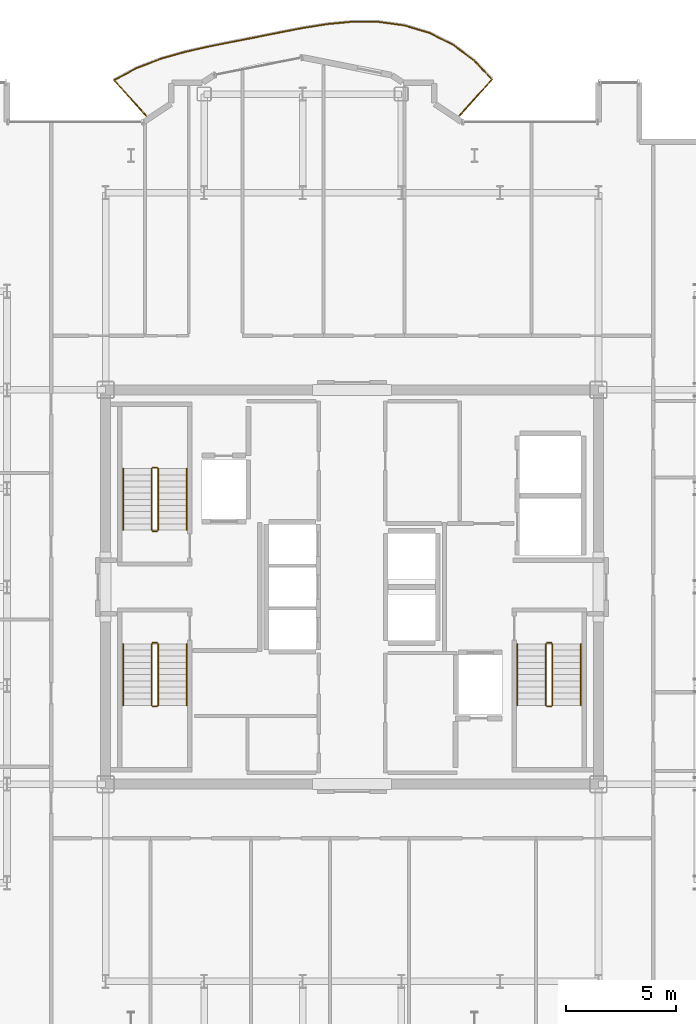
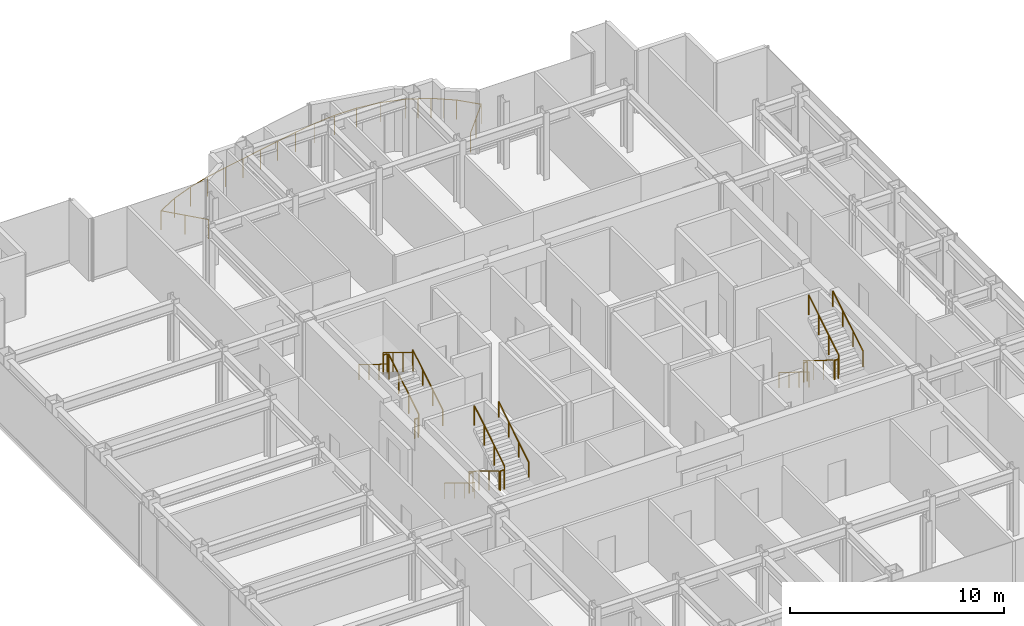
# One storey, part 18 of 18: 19 railings.
"""IFC4 building model written with IfcOpenShell, lengths in metres."""

from ifc_helpers import new_model, si_unit, direction, frame, origin, origin_2d, place, context, subcontext, project, spatial, circle, extrude, material, type_object, element, save


model = new_model("IFC4")

# Units and contexts
model_context = context("Model", 3, precision=1e-05, world=origin(), true_north=direction((0.0, 1.0)))
body_context = subcontext(model_context, "Body", "Model", "MODEL_VIEW")
ifc_project = project(units=[si_unit("LENGTHUNIT", "METRE"), si_unit("AREAUNIT", "SQUARE_METRE"), si_unit("VOLUMEUNIT", "CUBIC_METRE"), si_unit("PLANEANGLEUNIT", "RADIAN"), si_unit("MASSUNIT", "GRAM", prefix="KILO")], contexts=[model_context])

# Site, building, storey
site_placement = place(None, origin())
site = spatial("IfcSite", under=ifc_project, at=site_placement, CompositionType="ELEMENT")
building_placement = place(site_placement, origin())
building = spatial("IfcBuilding", under=site, at=building_placement, Name="Nefas-Gora Pilgrimage Tower", CompositionType="ELEMENT")
storey_placement = place(building_placement, frame((0.0, 0.0, 272.199951171875)))
storey = spatial("IfcBuildingStorey", under=building, at=storey_placement, Name="L68", CompositionType="ELEMENT", Elevation=272.199951171875)

# Railings
ifc_material_1 = material(Name="Laminated safety glass and stainless steel", Category="steel")
railing_type_1 = type_object("IfcRailingType", Name="RLG-BAL-1100", PredefinedType="BALUSTRADE", material=ifc_material_1)
railing_1_placement = place(storey_placement, frame((4.802490234375, 21.402587890625, 0.0)))
element("IfcRailing", 1, at=railing_1_placement, inside=storey, type_object=railing_type_1, Name="L68 Wave Balcony Balustrade N1", PredefinedType="BALUSTRADE", context=body_context, shape_type="SweptSolid", body=[
    extrude(circle(Radius=0.02392578125, at=origin_2d()), frame((0.0, 0.0, 1.09619140625), z_axis=(0.669135077133, 0.74314079995, 0.0), x_axis=(-0.74314079995, 0.669135077133, 0.0)), (0.0, 0.0, 1.0), 2.375244140625),
    extrude(circle(Radius=0.02392578125, at=origin_2d()), frame((1.58935546875, 1.76513671875, 1.09619140625), z_axis=(-0.68750179514, 0.726182677898, 0.0), x_axis=(-0.726182677898, -0.68750179514, 0.0)), (0.0, 0.0, 1.0), 1.19921875),
    extrude(circle(Radius=0.02392578125, at=origin_2d()), frame((0.764892578125, 2.635986328125, 1.09619140625), z_axis=(-0.801437477804, 0.59807856438, 0.0), x_axis=(-0.59807856438, -0.801437477804, 0.0)), (0.0, 0.0, 1.0), 1.200439453125),
    extrude(circle(Radius=0.02392578125, at=origin_2d()), frame((-0.197265625, 3.35400390625, 1.09619140625), z_axis=(-0.89467105907, 0.44672552654, 0.0), x_axis=(-0.44672552654, -0.89467105907, 0.0)), (0.0, 0.0, 1.0), 1.20068359375),
    extrude(circle(Radius=0.02392578125, at=origin_2d()), frame((-1.271484375, 3.890380859375, 1.09619140625), z_axis=(-0.958038938913, 0.286638084571, 0.0), x_axis=(-0.286638084571, -0.958038938913, 0.0)), (0.0, 0.0, 1.0), 1.19921875),
    extrude(circle(Radius=0.02392578125, at=origin_2d()), frame((-2.42041015625, 4.234130859375, 1.09619140625), z_axis=(-0.990887292095, 0.134693631496, 0.0), x_axis=(-0.134693631496, -0.990887292095, 0.0)), (0.0, 0.0, 1.0), 1.194580078125),
    extrude(circle(Radius=0.02392578125, at=origin_2d()), frame((-3.60400390625, 4.39501953125, 1.09619140625), z_axis=(-0.999987695818, 0.004960666536, 0.0), x_axis=(-0.004960666536, -0.999987695818, 0.0)), (0.0, 0.0, 1.0), 1.18115234375),
    extrude(circle(Radius=0.02392578125, at=origin_2d()), frame((-4.78515625, 4.40087890625, 1.09619140625), z_axis=(-0.995572807418, -0.093993537703, 0.0), x_axis=(0.093993537703, -0.995572807418, 0.0)), (0.0, 0.0, 1.0), 1.158447265625),
    extrude(circle(Radius=0.02392578125, at=origin_2d()), frame((-5.9384765625, 4.2919921875, 1.09619140625), z_axis=(-0.98740955461, -0.15818461197, 0.0), x_axis=(0.15818461197, -0.98740955461, 0.0)), (0.0, 0.0, 1.0), 1.128173828125),
    extrude(circle(Radius=0.02392578125, at=origin_2d()), frame((-7.052490234375, 4.113525390625, 1.09619140625), z_axis=(-0.981742387209, -0.190215365199, 0.0), x_axis=(0.190215365199, -0.981742387209, 0.0)), (0.0, 0.0, 1.0), 1.0986328125),
    extrude(circle(Radius=0.02392578125, at=origin_2d()), frame((-8.131103515625, 3.904541015625, 1.09619140625), z_axis=(-0.980414901531, -0.196943191949, 0.0), x_axis=(0.196943191949, -0.980414901531, 0.0)), (0.0, 0.0, 1.0), 1.07861328125),
    extrude(circle(Radius=0.02392578125, at=origin_2d()), frame((-9.1884765625, 3.692138671875, 1.09619140625), z_axis=(-0.981315429712, -0.192405892346, 0.0), x_axis=(0.192405892346, -0.981315429712, 0.0)), (0.0, 0.0, 1.0), 1.075927734375),
    extrude(circle(Radius=0.02392578125, at=origin_2d()), frame((-10.244384765625, 3.485107421875, 1.09619140625), z_axis=(-0.980846406589, -0.194782767929, 0.0), x_axis=(0.194782767929, -0.980846406589, 0.0)), (0.0, 0.0, 1.0), 1.091796875),
    extrude(circle(Radius=0.02392578125, at=origin_2d()), frame((-11.315185546875, 3.2724609375, 1.09619140625), z_axis=(-0.975857703496, -0.218407285884, 0.0), x_axis=(0.218407285884, -0.975857703496, 0.0)), (0.0, 0.0, 1.0), 1.1201171875),
    extrude(circle(Radius=0.02392578125, at=origin_2d()), frame((-12.408203125, 3.02783203125, 1.09619140625), z_axis=(-0.962066425729, -0.272815308377, 0.0), x_axis=(0.272815308377, -0.962066425729, 0.0)), (0.0, 0.0, 1.0), 1.15087890625),
    extrude(circle(Radius=0.02392578125, at=origin_2d()), frame((-13.515380859375, 2.7138671875, 1.09619140625), z_axis=(-0.933666294474, -0.358144175665, 0.0), x_axis=(0.358144175665, -0.933666294474, 0.0)), (0.0, 0.0, 1.0), 1.17578125),
    extrude(circle(Radius=0.02392578125, at=origin_2d()), frame((-14.61328125, 2.292724609375, 1.09619140625), z_axis=(-0.883049407943, -0.469280026351, 0.0), x_axis=(0.469280026351, -0.883049407943, 0.0)), (0.0, 0.0, 1.0), 1.19189453125),
    extrude(circle(Radius=0.02392578125, at=origin_2d()), frame((-15.665771484375, 1.7333984375, 1.09619140625), z_axis=(0.669138195153, -0.743137992427, 0.0), x_axis=(0.743137992427, 0.669138195153, 0.0)), (0.0, 0.0, 1.0), 2.33251953125),
    extrude(circle(Radius=0.02099609375, at=origin_2d()), origin(), (0.0, 0.0, 1.0), 1.072021484375),
    extrude(circle(Radius=0.02099609375, at=origin_2d()), frame((0.794677734375, 0.882568359375, 0.0)), (0.0, 0.0, 1.0), 1.072021484375),
    extrude(circle(Radius=0.02099609375, at=origin_2d()), frame((1.58935546875, 1.76513671875, 0.0)), (0.0, 0.0, 1.0), 1.072021484375),
    extrude(circle(Radius=0.02099609375, at=origin_2d()), frame((0.764892578125, 2.635986328125, 0.0)), (0.0, 0.0, 1.0), 1.072021484375),
    extrude(circle(Radius=0.02099609375, at=origin_2d()), frame((0.28369140625, 2.9951171875, 0.0)), (0.0, 0.0, 1.0), 1.072021484375),
    extrude(circle(Radius=0.02099609375, at=origin_2d()), frame((-0.197265625, 3.35400390625, 0.0)), (0.0, 0.0, 1.0), 1.072021484375),
    extrude(circle(Radius=0.02099609375, at=origin_2d()), frame((-0.734375, 3.6220703125, 0.0)), (0.0, 0.0, 1.0), 1.072021484375),
    extrude(circle(Radius=0.02099609375, at=origin_2d()), frame((-1.271484375, 3.890380859375, 0.0)), (0.0, 0.0, 1.0), 1.072021484375),
    extrude(circle(Radius=0.02099609375, at=origin_2d()), frame((-2.42041015625, 4.234130859375, 0.0)), (0.0, 0.0, 1.0), 1.072021484375),
    extrude(circle(Radius=0.02099609375, at=origin_2d()), frame((-3.60400390625, 4.39501953125, 0.0)), (0.0, 0.0, 1.0), 1.072021484375),
    extrude(circle(Radius=0.02099609375, at=origin_2d()), frame((-4.78515625, 4.40087890625, 0.0)), (0.0, 0.0, 1.0), 1.072021484375),
    extrude(circle(Radius=0.02099609375, at=origin_2d()), frame((-5.9384765625, 4.2919921875, 0.0)), (0.0, 0.0, 1.0), 1.072021484375),
    extrude(circle(Radius=0.02099609375, at=origin_2d()), frame((-7.052490234375, 4.113525390625, 0.0)), (0.0, 0.0, 1.0), 1.072021484375),
    extrude(circle(Radius=0.02099609375, at=origin_2d()), frame((-8.131103515625, 3.904541015625, 0.0)), (0.0, 0.0, 1.0), 1.072021484375),
    extrude(circle(Radius=0.02099609375, at=origin_2d()), frame((-9.1884765625, 3.692138671875, 0.0)), (0.0, 0.0, 1.0), 1.072021484375),
    extrude(circle(Radius=0.02099609375, at=origin_2d()), frame((-10.244384765625, 3.485107421875, 0.0)), (0.0, 0.0, 1.0), 1.072021484375),
    extrude(circle(Radius=0.02099609375, at=origin_2d()), frame((-11.315185546875, 3.2724609375, 0.0)), (0.0, 0.0, 1.0), 1.072021484375),
    extrude(circle(Radius=0.02099609375, at=origin_2d()), frame((-12.408203125, 3.02783203125, 0.0)), (0.0, 0.0, 1.0), 1.072021484375),
    extrude(circle(Radius=0.02099609375, at=origin_2d()), frame((-13.515380859375, 2.7138671875, 0.0)), (0.0, 0.0, 1.0), 1.072021484375),
    extrude(circle(Radius=0.02099609375, at=origin_2d()), frame((-14.61328125, 2.292724609375, 0.0)), (0.0, 0.0, 1.0), 1.072021484375),
    extrude(circle(Radius=0.02099609375, at=origin_2d()), frame((-15.665771484375, 1.7333984375, 0.0)), (0.0, 0.0, 1.0), 1.072021484375),
    extrude(circle(Radius=0.02099609375, at=origin_2d()), frame((-14.88525390625, 0.86669921875, 0.0)), (0.0, 0.0, 1.0), 1.072021484375),
    extrude(circle(Radius=0.02099609375, at=origin_2d()), frame((-14.10498046875, 0.0, 0.0)), (0.0, 0.0, 1.0), 1.072021484375),
])
ifc_material_2 = material(Name="Painted galvanised steel", Category="steel")
railing_type_2 = type_object("IfcRailingType", Name="RLG-STR-GUARD-1100", PredefinedType="GUARDRAIL", material=ifc_material_2)
railing_2_placement = place(storey_placement, frame((-8.85009765625, 2.60009765625, 0.1728515625)))
element("IfcRailing", 2, at=railing_2_placement, inside=storey, type_object=railing_type_2, Name="L68 ST-01 stair guard 1", PredefinedType="GUARDRAIL", context=body_context, shape_type="SweptSolid", body=[
    extrude(circle(Radius=0.02392578125, at=origin_2d()), frame((0.0, 0.0, 1.09619140625), z_axis=(0.0, 0.851069175582, 0.525053576669), x_axis=(-1.0, 0.0, 0.0)), (0.0, 0.0, 1.0), 3.289794921875),
    extrude(circle(Radius=0.02099609375, at=origin_2d()), origin(), (0.0, 0.0, 1.0), 1.072021484375),
    extrude(circle(Radius=0.02099609375, at=origin_2d()), frame((0.0, 0.933349609375, 0.57568359375)), (0.0, 0.0, 1.0), 1.072021484375),
    extrude(circle(Radius=0.02099609375, at=origin_2d()), frame((0.0, 1.866455078125, 1.151611328125)), (0.0, 0.0, 1.0), 1.072021484375),
    extrude(circle(Radius=0.02099609375, at=origin_2d()), frame((0.0, 2.7998046875, 1.727294921875)), (0.0, 0.0, 1.0), 1.072021484375),
])
railing_3_placement = place(storey_placement, frame((-8.89990234375, 5.449951171875, 1.900146484375)))
element("IfcRailing", 3, at=railing_3_placement, inside=storey, type_object=railing_type_2, Name="L68 ST-01 stair guard 2", PredefinedType="GUARDRAIL", context=body_context, shape_type="SweptSolid", body=[
    extrude(circle(Radius=0.02392578125, at=origin_2d()), frame((0.0, 0.0, 1.09619140625), z_axis=(-1.0, 0.0, 0.0), x_axis=(0.0, -1.0, 0.0)), (0.0, 0.0, 1.0), 0.2001953125),
    extrude(circle(Radius=0.02099609375, at=origin_2d()), origin(), (0.0, 0.0, 1.0), 1.072021484375),
    extrude(circle(Radius=0.02099609375, at=origin_2d()), frame((-0.2001953125, 0.0, 0.0)), (0.0, 0.0, 1.0), 1.072021484375),
])
railing_4_placement = place(storey_placement, frame((-9.14990234375, 5.39990234375, 2.07275390625)))
element("IfcRailing", 4, at=railing_4_placement, inside=storey, type_object=railing_type_2, Name="L68 ST-01 stair guard 3", PredefinedType="GUARDRAIL", context=body_context, shape_type="SweptSolid", body=[
    extrude(circle(Radius=0.02392578125, at=origin_2d()), frame((0.0, 0.0, 1.09619140625), z_axis=(0.0, -0.851069175582, 0.525053576669), x_axis=(1.0, 0.0, 0.0)), (0.0, 0.0, 1.0), 3.289794921875),
    extrude(circle(Radius=0.02099609375, at=origin_2d()), origin(), (0.0, 0.0, 1.0), 1.072021484375),
    extrude(circle(Radius=0.02099609375, at=origin_2d()), frame((0.0, -0.933349609375, 0.57568359375)), (0.0, 0.0, 1.0), 1.072021484375),
    extrude(circle(Radius=0.02099609375, at=origin_2d()), frame((0.0, -1.866455078125, 1.151611328125)), (0.0, 0.0, 1.0), 1.072021484375),
    extrude(circle(Radius=0.02099609375, at=origin_2d()), frame((0.0, -2.7998046875, 1.727294921875)), (0.0, 0.0, 1.0), 1.072021484375),
])
railing_5_placement = place(storey_placement, frame((-8.89990234375, 2.550048828125, 0.0)))
element("IfcRailing", 5, at=railing_5_placement, inside=storey, type_object=railing_type_2, Name="L68 ST-01 stair guard 4", PredefinedType="GUARDRAIL", context=body_context, shape_type="SweptSolid", body=[
    extrude(circle(Radius=0.02392578125, at=origin_2d()), frame((0.0, 0.0, 1.09619140625), z_axis=(-1.0, 0.0, 0.0), x_axis=(0.0, -1.0, 0.0)), (0.0, 0.0, 1.0), 0.2001953125),
    extrude(circle(Radius=0.02099609375, at=origin_2d()), origin(), (0.0, 0.0, 1.0), 1.072021484375),
    extrude(circle(Radius=0.02099609375, at=origin_2d()), frame((-0.2001953125, 0.0, 0.0)), (0.0, 0.0, 1.0), 1.072021484375),
])
railing_6_placement = place(storey_placement, frame((8.85009765625, -2.60009765625, 0.1728515625)))
element("IfcRailing", 6, at=railing_6_placement, inside=storey, type_object=railing_type_2, Name="L68 ST-02 stair guard 1", PredefinedType="GUARDRAIL", context=body_context, shape_type="SweptSolid", body=[
    extrude(circle(Radius=0.02392578125, at=origin_2d()), frame((0.0, 0.0, 1.09619140625), z_axis=(0.0, -0.851069175582, 0.525053576669), x_axis=(1.0, 0.0, 0.0)), (0.0, 0.0, 1.0), 3.289794921875),
    extrude(circle(Radius=0.02099609375, at=origin_2d()), origin(), (0.0, 0.0, 1.0), 1.072021484375),
    extrude(circle(Radius=0.02099609375, at=origin_2d()), frame((0.0, -0.933349609375, 0.57568359375)), (0.0, 0.0, 1.0), 1.072021484375),
    extrude(circle(Radius=0.02099609375, at=origin_2d()), frame((0.0, -1.866455078125, 1.151611328125)), (0.0, 0.0, 1.0), 1.072021484375),
    extrude(circle(Radius=0.02099609375, at=origin_2d()), frame((0.0, -2.7998046875, 1.727294921875)), (0.0, 0.0, 1.0), 1.072021484375),
])
railing_7_placement = place(storey_placement, frame((8.89990234375, -5.449951171875, 1.900146484375)))
element("IfcRailing", 7, at=railing_7_placement, inside=storey, type_object=railing_type_2, Name="L68 ST-02 stair guard 2", PredefinedType="GUARDRAIL", context=body_context, shape_type="SweptSolid", body=[
    extrude(circle(Radius=0.02392578125, at=origin_2d()), frame((0.0, 0.0, 1.09619140625), z_axis=(1.0, 0.0, 0.0), x_axis=(0.0, 1.0, 0.0)), (0.0, 0.0, 1.0), 0.2001953125),
    extrude(circle(Radius=0.02099609375, at=origin_2d()), origin(), (0.0, 0.0, 1.0), 1.072021484375),
    extrude(circle(Radius=0.02099609375, at=origin_2d()), frame((0.2001953125, 0.0, 0.0)), (0.0, 0.0, 1.0), 1.072021484375),
])
railing_8_placement = place(storey_placement, frame((9.14990234375, -5.39990234375, 2.07275390625)))
element("IfcRailing", 8, at=railing_8_placement, inside=storey, type_object=railing_type_2, Name="L68 ST-02 stair guard 3", PredefinedType="GUARDRAIL", context=body_context, shape_type="SweptSolid", body=[
    extrude(circle(Radius=0.02392578125, at=origin_2d()), frame((0.0, 0.0, 1.09619140625), z_axis=(0.0, 0.851069175582, 0.525053576669), x_axis=(-1.0, 0.0, 0.0)), (0.0, 0.0, 1.0), 3.289794921875),
    extrude(circle(Radius=0.02099609375, at=origin_2d()), origin(), (0.0, 0.0, 1.0), 1.072021484375),
    extrude(circle(Radius=0.02099609375, at=origin_2d()), frame((0.0, 0.933349609375, 0.57568359375)), (0.0, 0.0, 1.0), 1.072021484375),
    extrude(circle(Radius=0.02099609375, at=origin_2d()), frame((0.0, 1.866455078125, 1.151611328125)), (0.0, 0.0, 1.0), 1.072021484375),
    extrude(circle(Radius=0.02099609375, at=origin_2d()), frame((0.0, 2.7998046875, 1.727294921875)), (0.0, 0.0, 1.0), 1.072021484375),
])
railing_9_placement = place(storey_placement, frame((8.89990234375, -2.550048828125, 0.0)))
element("IfcRailing", 9, at=railing_9_placement, inside=storey, type_object=railing_type_2, Name="L68 ST-02 stair guard 4", PredefinedType="GUARDRAIL", context=body_context, shape_type="SweptSolid", body=[
    extrude(circle(Radius=0.02392578125, at=origin_2d()), frame((0.0, 0.0, 1.09619140625), z_axis=(1.0, 0.0, 0.0), x_axis=(0.0, 1.0, 0.0)), (0.0, 0.0, 1.0), 0.2001953125),
    extrude(circle(Radius=0.02099609375, at=origin_2d()), origin(), (0.0, 0.0, 1.0), 1.072021484375),
    extrude(circle(Radius=0.02099609375, at=origin_2d()), frame((0.2001953125, 0.0, 0.0)), (0.0, 0.0, 1.0), 1.072021484375),
])
railing_10_placement = place(storey_placement, frame((-9.14990234375, -2.60009765625, 0.1728515625)))
element("IfcRailing", 10, at=railing_10_placement, inside=storey, type_object=railing_type_2, Name="L68 ST-03 stair guard 1", PredefinedType="GUARDRAIL", context=body_context, shape_type="SweptSolid", body=[
    extrude(circle(Radius=0.02392578125, at=origin_2d()), frame((0.0, 0.0, 1.09619140625), z_axis=(0.0, -0.851069175582, 0.525053576669), x_axis=(1.0, 0.0, 0.0)), (0.0, 0.0, 1.0), 3.289794921875),
    extrude(circle(Radius=0.02099609375, at=origin_2d()), origin(), (0.0, 0.0, 1.0), 1.072021484375),
    extrude(circle(Radius=0.02099609375, at=origin_2d()), frame((0.0, -0.933349609375, 0.57568359375)), (0.0, 0.0, 1.0), 1.072021484375),
    extrude(circle(Radius=0.02099609375, at=origin_2d()), frame((0.0, -1.866455078125, 1.151611328125)), (0.0, 0.0, 1.0), 1.072021484375),
    extrude(circle(Radius=0.02099609375, at=origin_2d()), frame((0.0, -2.7998046875, 1.727294921875)), (0.0, 0.0, 1.0), 1.072021484375),
])
railing_11_placement = place(storey_placement, frame((-9.10009765625, -5.449951171875, 1.900146484375)))
element("IfcRailing", 11, at=railing_11_placement, inside=storey, type_object=railing_type_2, Name="L68 ST-03 stair guard 2", PredefinedType="GUARDRAIL", context=body_context, shape_type="SweptSolid", body=[
    extrude(circle(Radius=0.02392578125, at=origin_2d()), frame((0.0, 0.0, 1.09619140625), z_axis=(1.0, 0.0, 0.0), x_axis=(0.0, 1.0, 0.0)), (0.0, 0.0, 1.0), 0.2001953125),
    extrude(circle(Radius=0.02099609375, at=origin_2d()), origin(), (0.0, 0.0, 1.0), 1.072021484375),
    extrude(circle(Radius=0.02099609375, at=origin_2d()), frame((0.2001953125, 0.0, 0.0)), (0.0, 0.0, 1.0), 1.072021484375),
])
railing_12_placement = place(storey_placement, frame((-8.85009765625, -5.39990234375, 2.07275390625)))
element("IfcRailing", 12, at=railing_12_placement, inside=storey, type_object=railing_type_2, Name="L68 ST-03 stair guard 3", PredefinedType="GUARDRAIL", context=body_context, shape_type="SweptSolid", body=[
    extrude(circle(Radius=0.02392578125, at=origin_2d()), frame((0.0, 0.0, 1.09619140625), z_axis=(0.0, 0.851069175582, 0.525053576669), x_axis=(-1.0, 0.0, 0.0)), (0.0, 0.0, 1.0), 3.289794921875),
    extrude(circle(Radius=0.02099609375, at=origin_2d()), origin(), (0.0, 0.0, 1.0), 1.072021484375),
    extrude(circle(Radius=0.02099609375, at=origin_2d()), frame((0.0, 0.933349609375, 0.57568359375)), (0.0, 0.0, 1.0), 1.072021484375),
    extrude(circle(Radius=0.02099609375, at=origin_2d()), frame((0.0, 1.866455078125, 1.151611328125)), (0.0, 0.0, 1.0), 1.072021484375),
    extrude(circle(Radius=0.02099609375, at=origin_2d()), frame((0.0, 2.7998046875, 1.727294921875)), (0.0, 0.0, 1.0), 1.072021484375),
])
railing_13_placement = place(storey_placement, frame((-9.10009765625, -2.550048828125, 0.0)))
element("IfcRailing", 13, at=railing_13_placement, inside=storey, type_object=railing_type_2, Name="L68 ST-03 stair guard 4", PredefinedType="GUARDRAIL", context=body_context, shape_type="SweptSolid", body=[
    extrude(circle(Radius=0.02392578125, at=origin_2d()), frame((0.0, 0.0, 1.09619140625), z_axis=(1.0, 0.0, 0.0), x_axis=(0.0, 1.0, 0.0)), (0.0, 0.0, 1.0), 0.2001953125),
    extrude(circle(Radius=0.02099609375, at=origin_2d()), origin(), (0.0, 0.0, 1.0), 1.072021484375),
    extrude(circle(Radius=0.02099609375, at=origin_2d()), frame((0.2001953125, 0.0, 0.0)), (0.0, 0.0, 1.0), 1.072021484375),
])
ifc_material_3 = material(Name="Brushed stainless steel", Category="steel")
railing_type_3 = type_object("IfcRailingType", Name="RLG-STR-HAND-900", PredefinedType="HANDRAIL", material=ifc_material_3)
railing_14_placement = place(storey_placement, frame((-7.550048828125, 2.60009765625, 0.1728515625)))
element("IfcRailing", 14, at=railing_14_placement, inside=storey, type_object=railing_type_3, Name="L68 ST-01 stair handrail 1", PredefinedType="HANDRAIL", context=body_context, shape_type="SweptSolid", body=[
    extrude(circle(Radius=0.02392578125, at=origin_2d()), frame((0.0, 0.0, 0.8759765625), z_axis=(0.0, 0.851069175582, 0.525053576669), x_axis=(-1.0, 0.0, 0.0)), (0.0, 0.0, 1.0), 3.289794921875),
    extrude(circle(Radius=0.02099609375, at=origin_2d()), origin(), (0.0, 0.0, 1.0), 0.851806640625),
    extrude(circle(Radius=0.02099609375, at=origin_2d()), frame((0.0, 0.933349609375, 0.57568359375)), (0.0, 0.0, 1.0), 0.851806640625),
    extrude(circle(Radius=0.02099609375, at=origin_2d()), frame((0.0, 1.866455078125, 1.151611328125)), (0.0, 0.0, 1.0), 0.851806640625),
    extrude(circle(Radius=0.02099609375, at=origin_2d()), frame((0.0, 2.7998046875, 1.727294921875)), (0.0, 0.0, 1.0), 0.851806640625),
])
for number, where, name in (
    (15, (-10.449951171875, 5.39990234375, 2.07275390625), "L68 ST-01 stair handrail 2"),
    (16, (7.550048828125, -2.60009765625, 0.1728515625), "L68 ST-02 stair handrail 1"),
):
    element("IfcRailing", number, at=place(storey_placement, frame(where)), inside=storey, type_object=railing_type_3, Name=name, PredefinedType="HANDRAIL", context=body_context, shape_type="SweptSolid", body=[
        extrude(circle(Radius=0.02392578125, at=origin_2d()), frame((0.0, 0.0, 0.8759765625), z_axis=(0.0, -0.851069175582, 0.525053576669), x_axis=(1.0, 0.0, 0.0)), (0.0, 0.0, 1.0), 3.289794921875),
        extrude(circle(Radius=0.02099609375, at=origin_2d()), origin(), (0.0, 0.0, 1.0), 0.851806640625),
        extrude(circle(Radius=0.02099609375, at=origin_2d()), frame((0.0, -0.933349609375, 0.57568359375)), (0.0, 0.0, 1.0), 0.851806640625),
        extrude(circle(Radius=0.02099609375, at=origin_2d()), frame((0.0, -1.866455078125, 1.151611328125)), (0.0, 0.0, 1.0), 0.851806640625),
        extrude(circle(Radius=0.02099609375, at=origin_2d()), frame((0.0, -2.7998046875, 1.727294921875)), (0.0, 0.0, 1.0), 0.851806640625),
    ])
railing_15_placement = place(storey_placement, frame((10.449951171875, -5.39990234375, 2.07275390625)))
element("IfcRailing", 17, at=railing_15_placement, inside=storey, type_object=railing_type_3, Name="L68 ST-02 stair handrail 2", PredefinedType="HANDRAIL", context=body_context, shape_type="SweptSolid", body=[
    extrude(circle(Radius=0.02392578125, at=origin_2d()), frame((0.0, 0.0, 0.8759765625), z_axis=(0.0, 0.851069175582, 0.525053576669), x_axis=(-1.0, 0.0, 0.0)), (0.0, 0.0, 1.0), 3.289794921875),
    extrude(circle(Radius=0.02099609375, at=origin_2d()), origin(), (0.0, 0.0, 1.0), 0.851806640625),
    extrude(circle(Radius=0.02099609375, at=origin_2d()), frame((0.0, 0.933349609375, 0.57568359375)), (0.0, 0.0, 1.0), 0.851806640625),
    extrude(circle(Radius=0.02099609375, at=origin_2d()), frame((0.0, 1.866455078125, 1.151611328125)), (0.0, 0.0, 1.0), 0.851806640625),
    extrude(circle(Radius=0.02099609375, at=origin_2d()), frame((0.0, 2.7998046875, 1.727294921875)), (0.0, 0.0, 1.0), 0.851806640625),
])
railing_16_placement = place(storey_placement, frame((-10.449951171875, -2.60009765625, 0.1728515625)))
element("IfcRailing", 18, at=railing_16_placement, inside=storey, type_object=railing_type_3, Name="L68 ST-03 stair handrail 1", PredefinedType="HANDRAIL", context=body_context, shape_type="SweptSolid", body=[
    extrude(circle(Radius=0.02392578125, at=origin_2d()), frame((0.0, 0.0, 0.8759765625), z_axis=(0.0, -0.851069175582, 0.525053576669), x_axis=(1.0, 0.0, 0.0)), (0.0, 0.0, 1.0), 3.289794921875),
    extrude(circle(Radius=0.02099609375, at=origin_2d()), origin(), (0.0, 0.0, 1.0), 0.851806640625),
    extrude(circle(Radius=0.02099609375, at=origin_2d()), frame((0.0, -0.933349609375, 0.57568359375)), (0.0, 0.0, 1.0), 0.851806640625),
    extrude(circle(Radius=0.02099609375, at=origin_2d()), frame((0.0, -1.866455078125, 1.151611328125)), (0.0, 0.0, 1.0), 0.851806640625),
    extrude(circle(Radius=0.02099609375, at=origin_2d()), frame((0.0, -2.7998046875, 1.727294921875)), (0.0, 0.0, 1.0), 0.851806640625),
])
railing_17_placement = place(storey_placement, frame((-7.550048828125, -5.39990234375, 2.07275390625)))
element("IfcRailing", 19, at=railing_17_placement, inside=storey, type_object=railing_type_3, Name="L68 ST-03 stair handrail 2", PredefinedType="HANDRAIL", context=body_context, shape_type="SweptSolid", body=[
    extrude(circle(Radius=0.02392578125, at=origin_2d()), frame((0.0, 0.0, 0.8759765625), z_axis=(0.0, 0.851069175582, 0.525053576669), x_axis=(-1.0, 0.0, 0.0)), (0.0, 0.0, 1.0), 3.289794921875),
    extrude(circle(Radius=0.02099609375, at=origin_2d()), origin(), (0.0, 0.0, 1.0), 0.851806640625),
    extrude(circle(Radius=0.02099609375, at=origin_2d()), frame((0.0, 0.933349609375, 0.57568359375)), (0.0, 0.0, 1.0), 0.851806640625),
    extrude(circle(Radius=0.02099609375, at=origin_2d()), frame((0.0, 1.866455078125, 1.151611328125)), (0.0, 0.0, 1.0), 0.851806640625),
    extrude(circle(Radius=0.02099609375, at=origin_2d()), frame((0.0, 2.7998046875, 1.727294921875)), (0.0, 0.0, 1.0), 0.851806640625),
])

save(model, "model.ifc")
